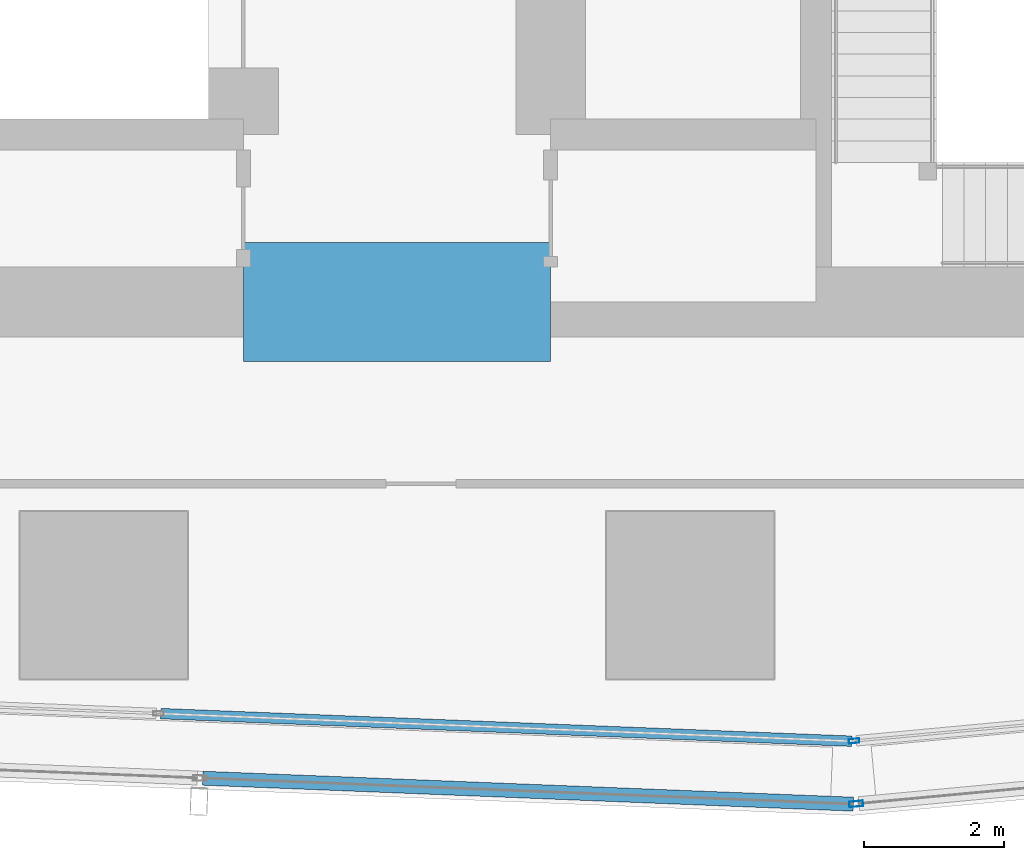
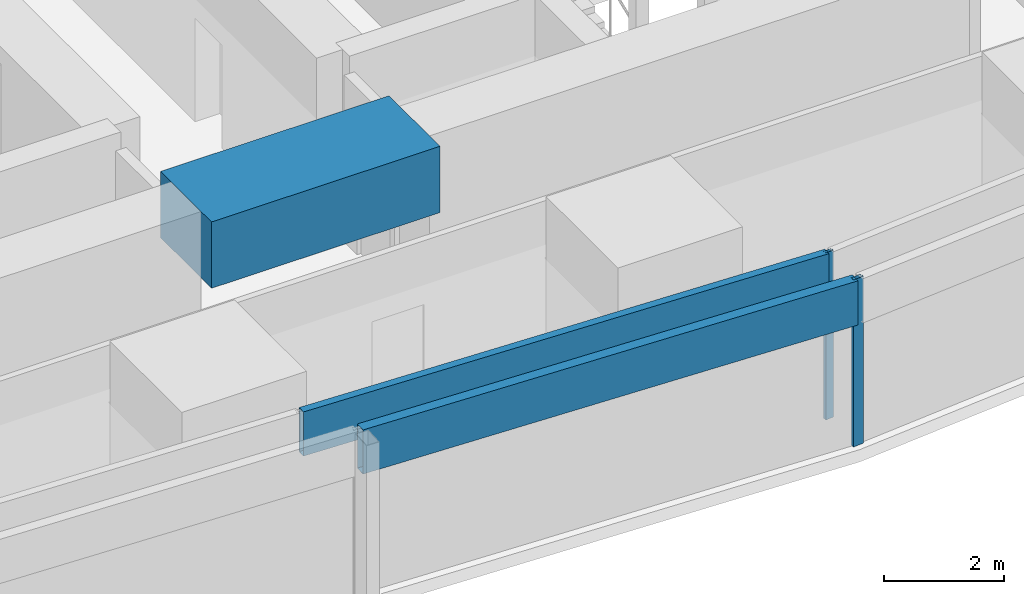
# One storey, part 8 of 34: 4 members, 1 beam, 4 elements without a shape of their own.
"""IFC4 building model written with IfcOpenShell, lengths in metres."""

from ifc_helpers import new_model, si_unit, direction, frame, origin, origin_2d, place, context, subcontext, project, spatial, rectangle, hollow_rectangle, extrude, material, material_profile, profile_set, type_object, element, aggregate, save


model = new_model("IFC4")

# Units and contexts
model_context = context("Model", 3, precision=1e-05, world=origin(), true_north=direction((0.0, 1.0)))
body_context = subcontext(model_context, "Body", "Model", "MODEL_VIEW")
ifc_project = project(units=[si_unit("LENGTHUNIT", "METRE"), si_unit("AREAUNIT", "SQUARE_METRE"), si_unit("VOLUMEUNIT", "CUBIC_METRE"), si_unit("PLANEANGLEUNIT", "RADIAN"), si_unit("MASSUNIT", "GRAM", prefix="KILO")], contexts=[model_context])

# Site, building, storey
site_placement = place(None, origin())
site = spatial("IfcSite", under=ifc_project, at=site_placement, CompositionType="ELEMENT")
building_placement = place(site_placement, origin())
building = spatial("IfcBuilding", under=site, at=building_placement, Name="Rekha Terrace Tower", CompositionType="ELEMENT")
storey_placement = place(building_placement, frame((0.0, 0.0, 236.449951171875)))
storey = spatial("IfcBuildingStorey", under=building, at=storey_placement, Name="L60", CompositionType="ELEMENT", Elevation=236.449951171875)

# Curtain wall, member
ifc_material_1 = material(Name="Aluminium framing", Category="aluminium")
curtain_wall_type_1 = type_object("IfcCurtainWallType", Name="CW1 double skin inner glazing", PredefinedType="USERDEFINED", material=ifc_material_1)
curtain_wall_1_placement = place(storey_placement, origin())
curtain_wall_1 = element("IfcCurtainWall", 1, at=curtain_wall_1_placement, inside=storey, type_object=curtain_wall_type_1, Name="CW1 double skin inner glazing", ObjectType="DOUBLE SKIN INNER GLAZING", PredefinedType="USERDEFINED")
ifc_material_2 = material(Name="Aluminium mullion section", Category="aluminium")
ifc_material_profile_1 = material_profile(ifc_material_2, hollow_rectangle(XDim=0.06494140625, YDim=0.14990234375, WallThickness=0.00390625, at=origin_2d()), Name="AL RHS 65x150")
ifc_profile_set_1 = profile_set([ifc_material_profile_1], Name="Aluminium mullion section")
member_type_1 = type_object("IfcMemberType", Name="CW1 mullion RHS 65 x 150", PredefinedType="MULLION", material=ifc_profile_set_1)
member_1_placement = place(storey_placement, frame((44.34423828125, 14.715087890625, 0.0), z_axis=(0.0, 0.0, 1.0), x_axis=(-0.092708869546, 0.995693258744, 0.0)))
member_1 = element("IfcMember", 2, at=member_1_placement, type_object=member_type_1, Name="CW1 mullion 1", PredefinedType="MULLION", context=body_context, shape_type="SweptSolid", body=[
    extrude(hollow_rectangle(XDim=0.06494140625, YDim=0.14990234375, WallThickness=0.00390625, at=origin_2d()), origin(), (0.0, 0.0, 1.0), 3.400146484375),
])
aggregate(curtain_wall_1, [member_1])

curtain_wall_2_placement = place(storey_placement, origin())
curtain_wall_2 = element("IfcCurtainWall", 3, at=curtain_wall_2_placement, inside=storey, type_object=curtain_wall_type_1, Name="CW1 double skin inner glazing", ObjectType="DOUBLE SKIN INNER GLAZING", PredefinedType="USERDEFINED")
ifc_material_3 = material(Name="Insulated aluminium spandrel box", Category="aluminium")
ifc_material_profile_2 = material_profile(ifc_material_3, hollow_rectangle(XDim=0.14990234375, YDim=0.89990234375, WallThickness=0.0029296875, at=origin_2d()), Name="AL SPANDREL BOX 150x900")
ifc_profile_set_2 = profile_set([ifc_material_profile_2], Name="Insulated aluminium spandrel box")
member_type_2 = type_object("IfcMemberType", Name="CW1 spandrel transom 150 x 900", PredefinedType="USERDEFINED", material=ifc_profile_set_2)
member_2_placement = place(storey_placement, frame((34.416748046875, 15.10693359375, 2.949951171875), z_axis=(0.999204106217, -0.039889273226, 0.0), x_axis=(0.039889273226, 0.999204106217, 0.0)))
member_2 = element("IfcMember", 4, at=member_2_placement, type_object=member_type_2, Name="CW1 spandrel transom 2", ObjectType="TRANSOM", PredefinedType="USERDEFINED", context=body_context, shape_type="SweptSolid", body=[
    extrude(hollow_rectangle(XDim=0.14990234375, YDim=0.89990234375, WallThickness=0.0029296875, at=origin_2d()), origin(), (0.0, 0.0, 1.0), 9.90283203125),
])
aggregate(curtain_wall_2, [member_2])

curtain_wall_type_2 = type_object("IfcCurtainWallType", Name="CW2 double skin outer glazing", PredefinedType="USERDEFINED", material=ifc_material_1)
curtain_wall_3_placement = place(storey_placement, origin())
curtain_wall_3 = element("IfcCurtainWall", 5, at=curtain_wall_3_placement, inside=storey, type_object=curtain_wall_type_2, Name="CW2 double skin outer glazing", ObjectType="DOUBLE SKIN OUTER GLAZING", PredefinedType="USERDEFINED")
ifc_material_profile_3 = material_profile(ifc_material_2, hollow_rectangle(XDim=0.080078125, YDim=0.199951171875, WallThickness=0.00390625, at=origin_2d()), Name="AL RHS 80x200")
ifc_profile_set_3 = profile_set([ifc_material_profile_3], Name="Aluminium mullion section")
member_type_3 = type_object("IfcMemberType", Name="CW2 mullion RHS 80 x 200", PredefinedType="MULLION", material=ifc_profile_set_3)
member_3_placement = place(storey_placement, frame((44.37548828125, 13.81396484375, 0.0), z_axis=(0.0, 0.0, 1.0), x_axis=(-0.092708869512, 0.995693258747, 0.0)))
member_3 = element("IfcMember", 6, at=member_3_placement, type_object=member_type_3, Name="CW2 mullion 1", PredefinedType="MULLION", context=body_context, shape_type="SweptSolid", body=[
    extrude(hollow_rectangle(XDim=0.080078125, YDim=0.199951171875, WallThickness=0.00390625, at=origin_2d()), origin(), (0.0, 0.0, 1.0), 3.400146484375),
])
aggregate(curtain_wall_3, [member_3])

curtain_wall_4_placement = place(storey_placement, origin())
curtain_wall_4 = element("IfcCurtainWall", 7, at=curtain_wall_4_placement, inside=storey, type_object=curtain_wall_type_2, Name="CW2 double skin outer glazing", ObjectType="DOUBLE SKIN OUTER GLAZING", PredefinedType="USERDEFINED")
ifc_material_profile_4 = material_profile(ifc_material_3, hollow_rectangle(XDim=0.199951171875, YDim=0.89990234375, WallThickness=0.0029296875, at=origin_2d()), Name="AL SPANDREL BOX 200x900")
ifc_profile_set_4 = profile_set([ifc_material_profile_4], Name="Insulated aluminium spandrel box")
member_type_4 = type_object("IfcMemberType", Name="CW2 spandrel transom 200 x 900", PredefinedType="USERDEFINED", material=ifc_profile_set_4)
member_4_placement = place(storey_placement, frame((35.01708984375, 14.18212890625, 2.949951171875), z_axis=(0.999204884837, -0.039869764458, 0.0), x_axis=(0.039869764458, 0.999204884837, 0.0)))
member_4 = element("IfcMember", 8, at=member_4_placement, type_object=member_type_4, Name="CW2 spandrel transom 4", ObjectType="TRANSOM", PredefinedType="USERDEFINED", context=body_context, shape_type="SweptSolid", body=[
    extrude(hollow_rectangle(XDim=0.199951171875, YDim=0.89990234375, WallThickness=0.0029296875, at=origin_2d()), origin(), (0.0, 0.0, 1.0), 9.325927734375),
])
aggregate(curtain_wall_4, [member_4])

# Beam
ifc_material_4 = material(Name="Concrete M60", Category="concrete")
ifc_material_profile_5 = material_profile(ifc_material_4, rectangle(XDim=1.699951171875, YDim=1.35009765625, at=origin_2d()), Name="RC 1700x1350")
ifc_profile_set_5 = profile_set([ifc_material_profile_5], Name="Concrete M60")
beam_type = type_object("IfcBeamType", Name="LB3A 1700x1350 diagonally reinforced coupling beam", PredefinedType="LINTEL", material=ifc_profile_set_5)
beam_placement = place(storey_placement, frame((35.60009765625, 21.0, 3.074951171875), z_axis=(1.0, 0.0, 0.0), x_axis=(0.0, 1.0, 0.0)))
element("IfcBeam", 9, at=beam_placement, inside=storey, type_object=beam_type, Name="Coupling beam LB3A S L60", PredefinedType="LINTEL", context=body_context, shape_type="SweptSolid", body=[
    extrude(rectangle(XDim=1.699951171875, YDim=1.35009765625, at=origin_2d()), origin(), (0.0, 0.0, 1.0), 4.39990234375),
])

save(model, "model.ifc")
